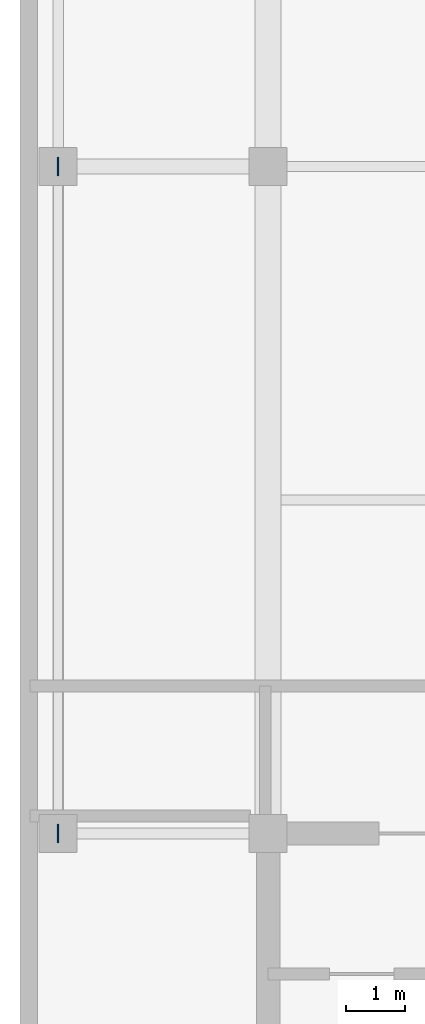
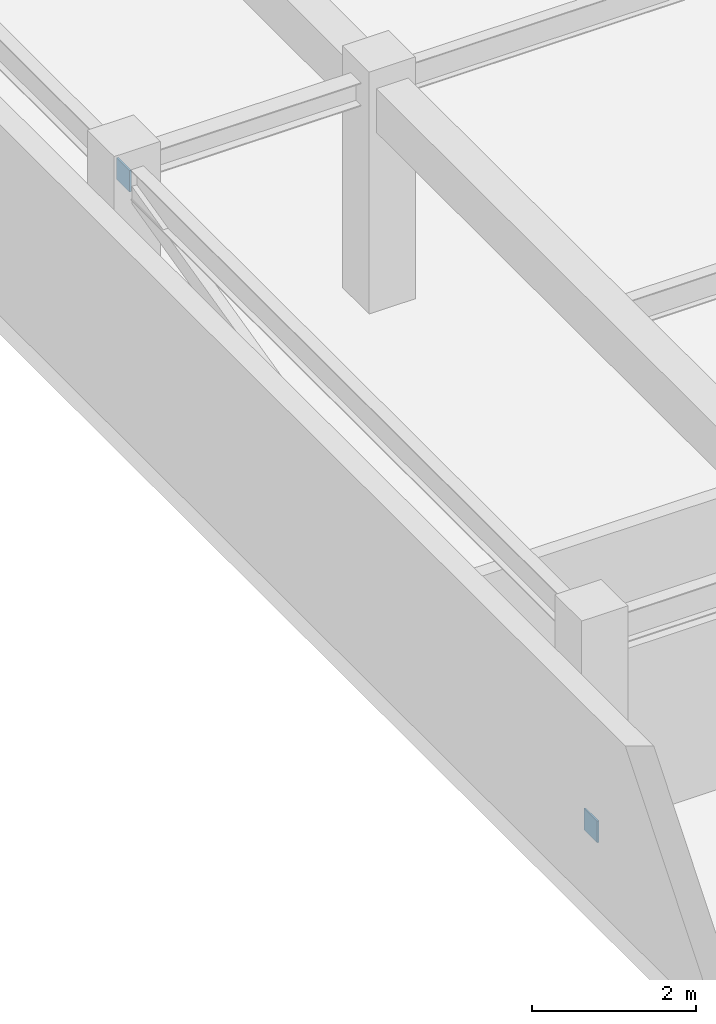
# One storey, part 7 of 9: 2 discrete accessories.
"""IFC4 building model written with IfcOpenShell, lengths in metres."""

from ifc_helpers import new_model, si_unit, direction, frame, origin, origin_2d, place, context, subcontext, project, spatial, rectangle, extrude, material, layer, layer_set, type_object, element, save


model = new_model("IFC4")

# Units and contexts
model_context = context("Model", 3, precision=1e-05, world=origin(), true_north=direction((0.0, 1.0)))
body_context = subcontext(model_context, "Body", "Model", "MODEL_VIEW")
ifc_project = project(units=[si_unit("LENGTHUNIT", "METRE"), si_unit("AREAUNIT", "SQUARE_METRE"), si_unit("VOLUMEUNIT", "CUBIC_METRE"), si_unit("PLANEANGLEUNIT", "RADIAN"), si_unit("MASSUNIT", "GRAM", prefix="KILO")], contexts=[model_context])

# Site, building, storey
site_placement = place(None, origin())
site = spatial("IfcSite", under=ifc_project, at=site_placement, CompositionType="ELEMENT")
building_placement = place(site_placement, origin())
building = spatial("IfcBuilding", under=site, at=building_placement, Name="Svetorya Sky Lyceum", CompositionType="ELEMENT")
storey_placement = place(building_placement, frame((0.0, 0.0, 305.60009765625)))
storey = spatial("IfcBuildingStorey", under=building, at=storey_placement, Name="C02", CompositionType="ELEMENT", Elevation=305.60009765625)

# Discrete accessories
ifc_material = material(Name="Steel S355", Category="steel")
ifc_layer = layer(ifc_material, 0.02392578125)
ifc_layer_set = layer_set([ifc_layer], Name="Steel S355")
discrete_accessory_type = type_object("IfcDiscreteAccessoryType", Name="ACC-GUSSET-24", PredefinedType="BRACKET", material=ifc_layer_set)
for number, where, z_axis, x_axis, name in (
    (1, (22.010009765625, 16.800048828125, 0.08984375), (0.0, 0.0, 1.0), (1.0, 0.0, 0.0), "C02 Brace Node Gusset Plate 197"),
    (2, (22.010009765625, 28.199951171875, 2.85986328125), (0.0, 0.0, 1.0), (1.0, 0.0, 0.0), "C02 Brace Node Gusset Plate 198"),
):
    element("IfcDiscreteAccessory", number, at=place(storey_placement, frame(where, z_axis=z_axis, x_axis=x_axis)), inside=storey, type_object=discrete_accessory_type, Name=name, PredefinedType="BRACKET", context=body_context, shape_type="SweptSolid", body=[
        extrude(rectangle(XDim=0.02392578125, YDim=0.320068359375, at=origin_2d()), origin(), (0.0, 0.0, 1.0), 0.320068359375),
    ])

save(model, "model.ifc")
